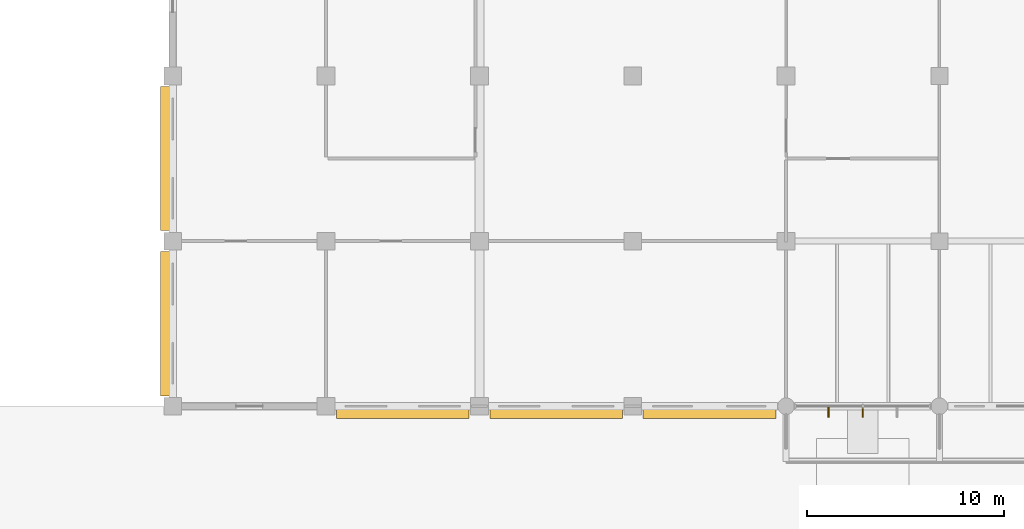
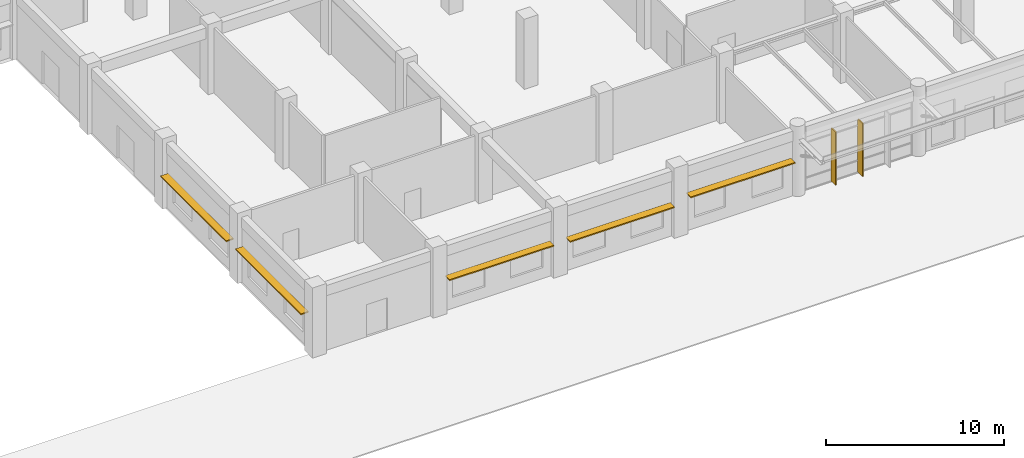
# One storey, part 61 of 74: 7 shading devices.
"""IFC4 building model written with IfcOpenShell, lengths in metres."""

from ifc_helpers import new_model, si_unit, direction, frame, origin, origin_2d, place, context, subcontext, project, spatial, rectangle, extrude, material, layer, layer_set, type_object, element, save


model = new_model("IFC4")

# Units and contexts
model_context = context("Model", 3, precision=1e-05, world=origin(), true_north=direction((0.0, 1.0)))
body_context = subcontext(model_context, "Body", "Model", "MODEL_VIEW")
ifc_project = project(units=[si_unit("LENGTHUNIT", "METRE"), si_unit("AREAUNIT", "SQUARE_METRE"), si_unit("VOLUMEUNIT", "CUBIC_METRE"), si_unit("PLANEANGLEUNIT", "RADIAN"), si_unit("MASSUNIT", "GRAM", prefix="KILO"), si_unit("THERMODYNAMICTEMPERATUREUNIT", "KELVIN"), si_unit("POWERUNIT", "WATT")], contexts=[model_context])

# Site, building, storey
site_placement = place(None, origin())
site = spatial("IfcSite", under=ifc_project, at=site_placement, CompositionType="ELEMENT")
building_placement = place(site_placement, origin())
building = spatial("IfcBuilding", under=site, at=building_placement, Name="Srebrne Nadtorze General Hospital", CompositionType="ELEMENT")
storey_placement = place(building_placement, origin())
storey = spatial("IfcBuildingStorey", under=building, at=storey_placement, Name="L00", CompositionType="ELEMENT", Elevation=0.0)

# Shading devices
ifc_material_1 = material(Name="Anodised Aluminium", Category="aluminium")
ifc_layer_1 = layer(ifc_material_1, 0.080078125)
ifc_layer_set_1 = layer_set([ifc_layer_1], Name="Anodised Aluminium")
shading_device_type_1 = type_object("IfcShadingDeviceType", Name="Hisashi horizontal aluminium sunshade", PredefinedType="JALOUSIE", material=ifc_layer_set_1)
for number, where, z_axis, x_axis, name in (
    (1, (35.10009765625, -0.3798828125, 2.320068359375), (0.0, 0.0, 1.0), (1.0, 0.0, 0.0), "Hisashi horizontal sunshade eave LV-001"),
    (2, (42.89990234375, -0.3798828125, 2.219970703125), (0.0, 0.0, 1.0), (1.0, 0.0, 0.0), "Hisashi horizontal sunshade eave LV-002"),
):
    element("IfcShadingDevice", number, at=place(storey_placement, frame(where, z_axis=z_axis, x_axis=x_axis)), inside=storey, type_object=shading_device_type_1, Name=name, PredefinedType="JALOUSIE", context=body_context, shape_type="SweptSolid", body=[
        extrude(rectangle(XDim=6.739990234375, YDim=0.47998046875, at=origin_2d()), origin(), (0.0, 0.0, 1.0), 0.080078125),
    ])
shading_device_placement = place(storey_placement, frame((50.71240234375, -0.3798828125, 2.52001953125), z_axis=(0.0, 0.0, 1.0), x_axis=(1.0, 0.0, 0.0)))
element("IfcShadingDevice", 3, at=shading_device_placement, inside=storey, type_object=shading_device_type_1, Name="Hisashi horizontal sunshade eave LV-003", PredefinedType="JALOUSIE", context=body_context, shape_type="SweptSolid", body=[
    extrude(rectangle(XDim=6.764892578125, YDim=0.47998046875, at=origin_2d()), origin(), (0.0, 0.0, 1.0), 0.080078125),
])
for number, where, z_axis, x_axis, name in (
    (4, (23.02001953125, 4.199951171875, 2.419921875), (0.0, 0.0, 1.0), (1.0, 0.0, 0.0), "Hisashi horizontal sunshade eave LV-028"),
    (5, (23.02001953125, 12.60009765625, 2.320068359375), (0.0, 0.0, 1.0), (1.0, 0.0, 0.0), "Hisashi horizontal sunshade eave LV-029"),
):
    element("IfcShadingDevice", number, at=place(storey_placement, frame(where, z_axis=z_axis, x_axis=x_axis)), inside=storey, type_object=shading_device_type_1, Name=name, PredefinedType="JALOUSIE", context=body_context, shape_type="SweptSolid", body=[
        extrude(rectangle(XDim=0.47998046875, YDim=7.340087890625, at=origin_2d()), origin(), (0.0, 0.0, 1.0), 0.080078125),
    ])
ifc_material_2 = material(Name="Anodised Aluminium", Category="aluminium")
ifc_layer_2 = layer(ifc_material_2, 0.070068359375)
ifc_layer_set_2 = layer_set([ifc_layer_2], Name="Anodised Aluminium")
shading_device_type_2 = type_object("IfcShadingDeviceType", Name="Koushi vertical brise-soleil fin", PredefinedType="SHUTTER", material=ifc_layer_set_2)
for number, where, z_axis, x_axis, name in (
    (6, (56.762451171875, -0.300048828125, 0.06005859375), (0.0, 0.0, 1.0), (1.0, 0.0, 0.0), "Koushi vertical brise-soleil fin LV-004"),
    (7, (58.5, -0.300048828125, 0.06005859375), (0.0, 0.0, 1.0), (1.0, 0.0, 0.0), "Koushi vertical brise-soleil fin LV-005"),
):
    element("IfcShadingDevice", number, at=place(storey_placement, frame(where, z_axis=z_axis, x_axis=x_axis)), inside=storey, type_object=shading_device_type_2, Name=name, PredefinedType="SHUTTER", context=body_context, shape_type="SweptSolid", body=[
        extrude(rectangle(XDim=0.070068359375, YDim=0.52001953125, at=origin_2d()), origin(), (0.0, 0.0, 1.0), 3.6298828125),
    ])

save(model, "model.ifc")
